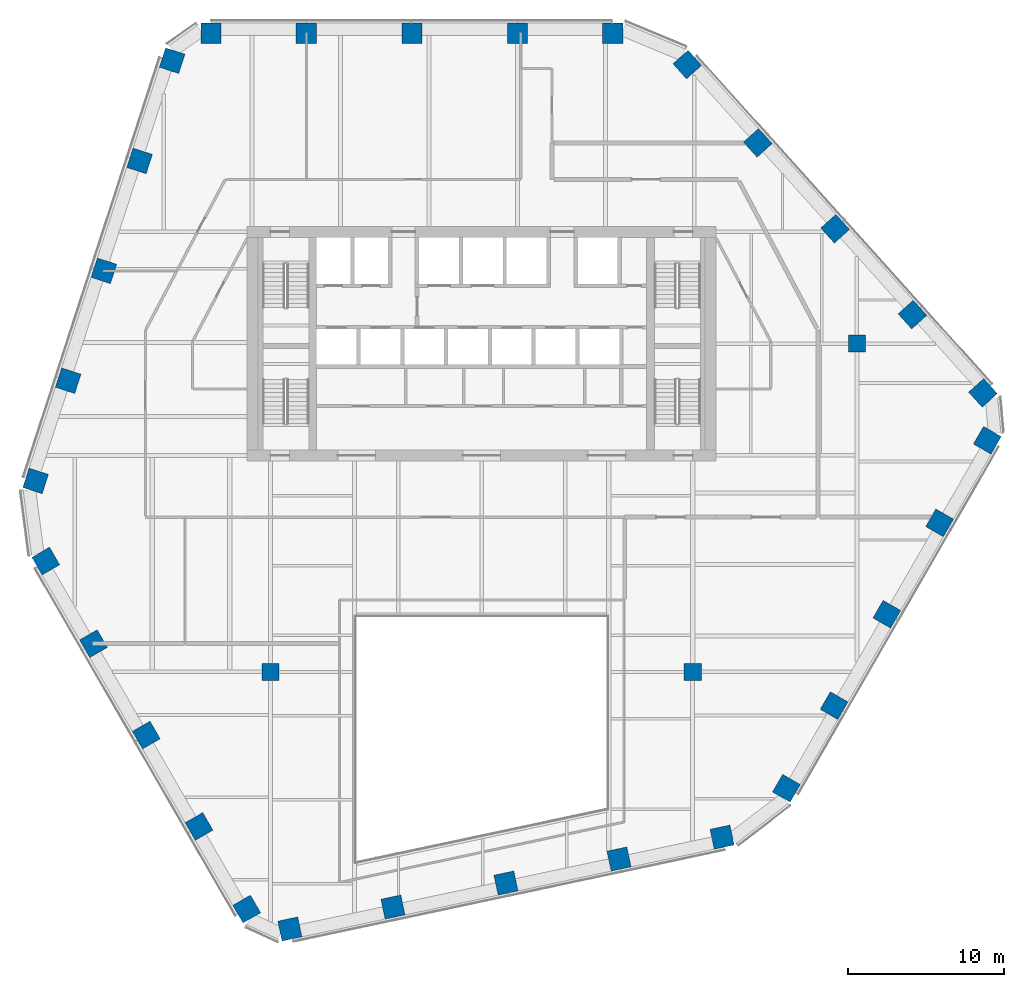
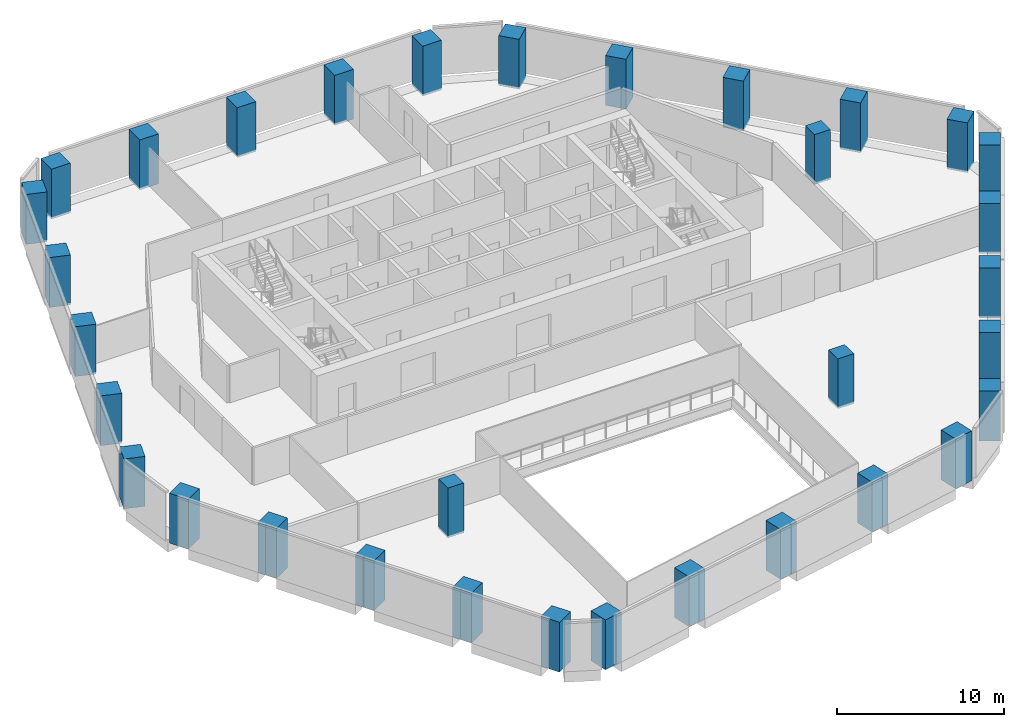
# One storey, part 1 of 16: 33 columns.
"""IFC4 building model written with IfcOpenShell, lengths in metres."""

from ifc_helpers import new_model, si_unit, direction, frame, origin, origin_2d, place, context, subcontext, project, spatial, rectangle, extrude, material, material_profile, profile_set, type_object, element, save


model = new_model("IFC4")

# Units and contexts
model_context = context("Model", 3, precision=1e-05, world=origin(), true_north=direction((0.0, 1.0)))
body_context = subcontext(model_context, "Body", "Model", "MODEL_VIEW")
ifc_project = project(units=[si_unit("LENGTHUNIT", "METRE"), si_unit("AREAUNIT", "SQUARE_METRE"), si_unit("VOLUMEUNIT", "CUBIC_METRE"), si_unit("PLANEANGLEUNIT", "RADIAN"), si_unit("MASSUNIT", "GRAM", prefix="KILO")], contexts=[model_context])

# Site, building, storey
site_placement = place(None, origin())
site = spatial("IfcSite", under=ifc_project, at=site_placement, CompositionType="ELEMENT")
building_placement = place(site_placement, origin())
building = spatial("IfcBuilding", under=site, at=building_placement, Name="Isthmus Gate Tower", CompositionType="ELEMENT")
storey_placement = place(building_placement, frame((0.0, 0.0, 178.10009765625)))
storey = spatial("IfcBuildingStorey", under=building, at=storey_placement, Name="L44", CompositionType="ELEMENT", Elevation=178.10009765625)

# Columns
ifc_material_1 = material(Name="Concrete f'c 60 MPa", Category="concrete")
ifc_material_profile_1 = material_profile(ifc_material_1, rectangle(XDim=1.10009765625, YDim=1.10009765625, at=origin_2d()), Name="RC 1100X1100")
ifc_profile_set_1 = profile_set([ifc_material_profile_1], Name="Concrete f'c 60 MPa")
column_type_1 = type_object("IfcColumnType", Name="RC INTERIOR COLUMN 1100 X 1100", PredefinedType="COLUMN", material=ifc_profile_set_1)
for number, where, z_axis, x_axis, name in (
    (1, (-13.5, -13.5, -0.150146484375), (0.0, 0.0, 1.0), (1.0, 0.0, 0.0), "str-icol-L44-ICB2"),
    (2, (13.5, -13.5, -0.150146484375), (0.0, 0.0, 1.0), (1.0, 0.0, 0.0), "str-icol-L44-ICD2"),
    (3, (24.0, 7.5, -0.150146484375), (0.0, 0.0, 1.0), (1.0, 0.0, 0.0), "str-icol-L44-ICE3"),
):
    element("IfcColumn", number, at=place(storey_placement, frame(where, z_axis=z_axis, x_axis=x_axis)), inside=storey, type_object=column_type_1, Name=name, PredefinedType="COLUMN", context=body_context, shape_type="SweptSolid", body=[
        extrude(rectangle(XDim=1.10009765625, YDim=1.10009765625, at=origin_2d()), origin(), (0.0, 0.0, 1.0), 3.650146484375),
    ])
ifc_material_2 = material(Name="Concrete f'c 60 MPa", Category="concrete")
ifc_material_profile_2 = material_profile(ifc_material_2, rectangle(XDim=1.300048828125, YDim=1.300048828125, at=origin_2d()), Name="RC 1300X1300")
ifc_profile_set_2 = profile_set([ifc_material_profile_2], Name="Concrete f'c 60 MPa")
column_type_2 = type_object("IfcColumnType", Name="RC TUBE COLUMN 1300 X 1300", PredefinedType="COLUMN", material=ifc_profile_set_2)
for number, where, z_axis, x_axis, name in (
    (4, (8.388671875, 27.35009765625, -0.150146484375), (0.0, 0.0, 1.0), (-1.0, 0.0, 0.0), "str-tcol-L44-T2N0"),
    (5, (2.288330078125, 27.35009765625, -0.150146484375), (0.0, 0.0, 1.0), (-1.0, 0.0, 0.0), "str-tcol-L44-T2N1"),
    (6, (-4.461669921875, 27.35009765625, -0.150146484375), (0.0, 0.0, 1.0), (-1.0, 0.0, 0.0), "str-tcol-L44-T2N2"),
    (7, (-11.2119140625, 27.35009765625, -0.150146484375), (0.0, 0.0, 1.0), (-1.0, 0.0, 0.0), "str-tcol-L44-T2N3"),
    (8, (-17.31201171875, 27.35009765625, -0.150146484375), (0.0, 0.0, 1.0), (-1.0, 0.0, 0.0), "str-tcol-L44-T2N4"),
    (9, (-19.797607421875, 25.595947265625, -0.150146484375), (0.0, 0.0, 1.0), (-0.309016994375, -0.951056516295, 0.0), "str-tcol-L44-T2NW0"),
    (10, (-21.880615234375, 19.18505859375, -0.150146484375), (0.0, 0.0, 1.0), (-0.309016994375, -0.951056516295, 0.0), "str-tcol-L44-T2NW1"),
    (11, (-24.164306640625, 12.156005859375, -0.150146484375), (0.0, 0.0, 1.0), (-0.309016994375, -0.951056516295, 0.0), "str-tcol-L44-T2NW2"),
    (12, (-26.4482421875, 5.126953125, -0.150146484375), (0.0, 0.0, 1.0), (-0.309016994375, -0.951056516295, 0.0), "str-tcol-L44-T2NW3"),
    (13, (-28.53125, -1.283935546875, -0.150146484375), (0.0, 0.0, 1.0), (-0.309016994375, -0.951056516295, 0.0), "str-tcol-L44-T2NW4"),
    (14, (-27.880126953125, -6.410400390625, -0.150146484375), (0.0, 0.0, 1.0), (0.5, -0.866025403784, 0.0), "str-tcol-L44-T2SW0"),
    (15, (-24.830078125, -11.693115234375, -0.150146484375), (0.0, 0.0, 1.0), (0.5, -0.866025403784, 0.0), "str-tcol-L44-T2SW1"),
    (16, (-21.454833984375, -17.5390625, -0.150146484375), (0.0, 0.0, 1.0), (0.5, -0.866025403784, 0.0), "str-tcol-L44-T2SW2"),
    (17, (-18.079833984375, -23.384765625, -0.150146484375), (0.0, 0.0, 1.0), (0.5, -0.866025403784, 0.0), "str-tcol-L44-T2SW3"),
    (18, (-15.02978515625, -28.667724609375, -0.150146484375), (0.0, 0.0, 1.0), (0.5, -0.866025403784, 0.0), "str-tcol-L44-T2SW4"),
    (19, (-12.267822265625, -29.943115234375, -0.150146484375), (0.0, 0.0, 1.0), (0.978147600734, 0.207911690818, 0.0), "str-tcol-L44-T2S0"),
    (20, (-5.674560546875, -28.54150390625, -0.150146484375), (0.0, 0.0, 1.0), (0.978147600734, 0.207911690818, 0.0), "str-tcol-L44-T2S1"),
    (21, (1.554931640625, -27.0048828125, -0.150146484375), (0.0, 0.0, 1.0), (0.978147600734, 0.207911690818, 0.0), "str-tcol-L44-T2S2"),
    (22, (8.7841796875, -25.46826171875, -0.150146484375), (0.0, 0.0, 1.0), (0.978147600734, 0.207911690818, 0.0), "str-tcol-L44-T2S3"),
    (23, (15.377685546875, -24.06689453125, -0.150146484375), (0.0, 0.0, 1.0), (0.978147600734, 0.207911690818, 0.0), "str-tcol-L44-T2S4"),
    (24, (19.491455078125, -20.939697265625, -0.150146484375), (0.0, 0.0, 1.0), (0.5, 0.866025403784, 0.0), "str-tcol-L44-T2SE0"),
    (25, (22.54150390625, -15.65673828125, -0.150146484375), (0.0, 0.0, 1.0), (0.5, 0.866025403784, 0.0), "str-tcol-L44-T2SE1"),
    (26, (25.916748046875, -9.81103515625, -0.150146484375), (0.0, 0.0, 1.0), (0.5, 0.866025403784, 0.0), "str-tcol-L44-T2SE2"),
    (27, (29.291748046875, -3.96533203125, -0.150146484375), (0.0, 0.0, 1.0), (0.5, 0.866025403784, 0.0), "str-tcol-L44-T2SE3"),
    (28, (32.341796875, 1.317626953125, -0.150146484375), (0.0, 0.0, 1.0), (0.5, 0.866025403784, 0.0), "str-tcol-L44-T2SE4"),
    (29, (32.0654296875, 4.34716796875, -0.150146484375), (0.0, 0.0, 1.0), (-0.669130606359, 0.743144825477, 0.0), "str-tcol-L44-T2NE0"),
    (30, (27.554931640625, 9.356689453125, -0.150146484375), (0.0, 0.0, 1.0), (-0.669130606359, 0.743144825477, 0.0), "str-tcol-L44-T2NE1"),
    (31, (22.609619140625, 14.84912109375, -0.150146484375), (0.0, 0.0, 1.0), (-0.669130606359, 0.743144825477, 0.0), "str-tcol-L44-T2NE2"),
    (32, (17.6640625, 20.341552734375, -0.150146484375), (0.0, 0.0, 1.0), (-0.669130606359, 0.743144825477, 0.0), "str-tcol-L44-T2NE3"),
    (33, (13.15380859375, 25.350830078125, -0.150146484375), (0.0, 0.0, 1.0), (-0.669130606359, 0.743144825477, 0.0), "str-tcol-L44-T2NE4"),
):
    element("IfcColumn", number, at=place(storey_placement, frame(where, z_axis=z_axis, x_axis=x_axis)), inside=storey, type_object=column_type_2, Name=name, PredefinedType="COLUMN", context=body_context, shape_type="SweptSolid", body=[
        extrude(rectangle(XDim=1.300048828125, YDim=1.300048828125, at=origin_2d()), origin(), (0.0, 0.0, 1.0), 3.650146484375),
    ])

save(model, "model.ifc")
